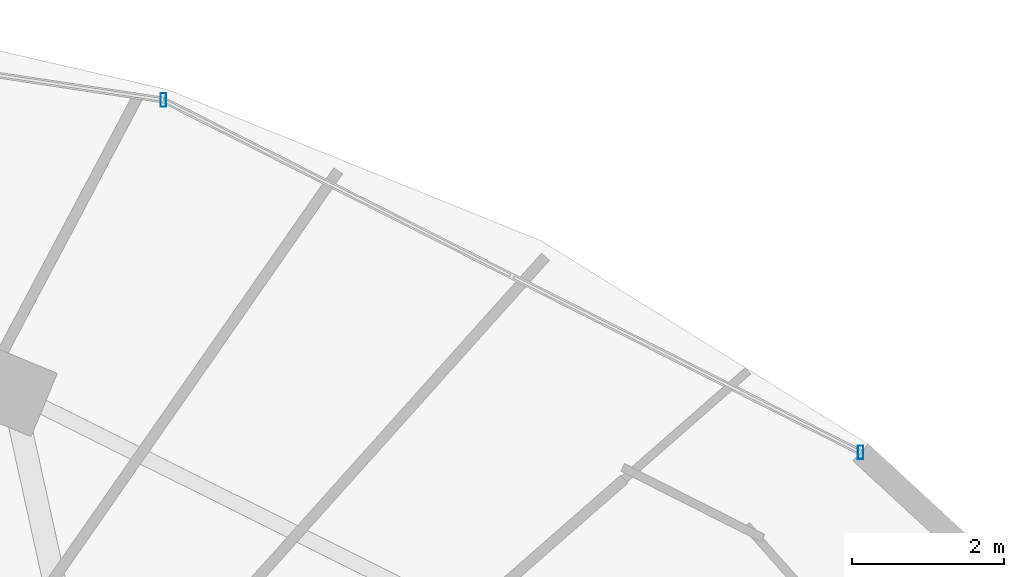
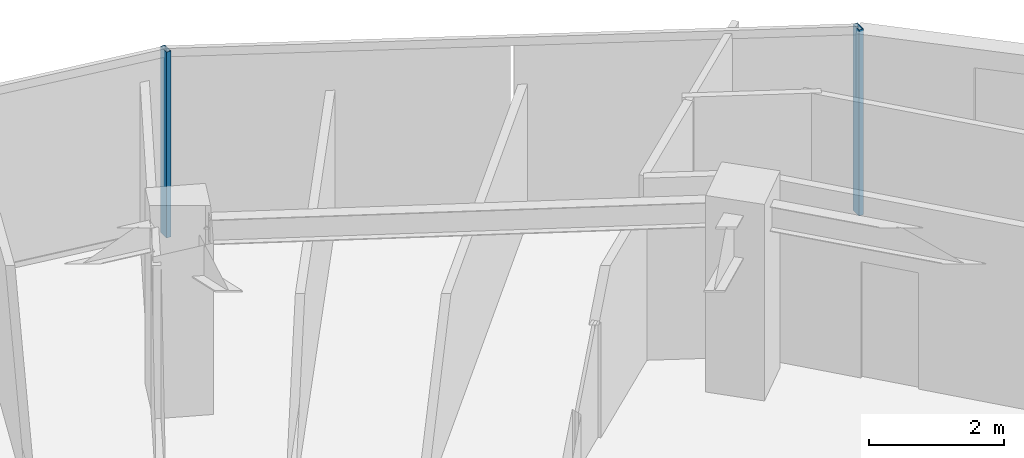
# One storey, part 22 of 34: 2 members, 1 element without a shape of its own.
"""IFC4 building model written with IfcOpenShell, lengths in metres."""

from ifc_helpers import new_model, si_unit, direction, frame, origin, origin_2d, place, context, subcontext, project, spatial, hollow_rectangle, extrude, material, material_profile, profile_set, type_object, element, aggregate, save


model = new_model("IFC4")

# Units and contexts
model_context = context("Model", 3, precision=1e-05, world=origin(), true_north=direction((0.0, 1.0)))
body_context = subcontext(model_context, "Body", "Model", "MODEL_VIEW")
ifc_project = project(units=[si_unit("LENGTHUNIT", "METRE"), si_unit("AREAUNIT", "SQUARE_METRE"), si_unit("VOLUMEUNIT", "CUBIC_METRE"), si_unit("PLANEANGLEUNIT", "RADIAN"), si_unit("MASSUNIT", "GRAM", prefix="KILO")], contexts=[model_context])

# Site, building, storey
site_placement = place(None, origin())
site = spatial("IfcSite", under=ifc_project, at=site_placement, CompositionType="ELEMENT")
building_placement = place(site_placement, origin())
building = spatial("IfcBuilding", under=site, at=building_placement, Name="Vorneva Point Tower", CompositionType="ELEMENT")
storey_placement = place(building_placement, frame((0.0, 0.0, 214.300048828125)))
storey = spatial("IfcBuildingStorey", under=building, at=storey_placement, Name="L58", CompositionType="ELEMENT", Elevation=214.300048828125)

# Curtain wall, members
ifc_material = material(Name="Pale anodised aluminium", Category="aluminium")
curtain_wall_type = type_object("IfcCurtainWallType", Name="CW-RES-SYS", PredefinedType="NOTDEFINED", material=ifc_material)
curtain_wall_placement = place(storey_placement, origin())
curtain_wall = element("IfcCurtainWall", 1, at=curtain_wall_placement, inside=storey, type_object=curtain_wall_type, Name="L58 Unitised Curtain Wall CW-L58-R02", PredefinedType="NOTDEFINED")
ifc_material_profile = material_profile(ifc_material, hollow_rectangle(XDim=0.074951171875, YDim=0.179931640625, WallThickness=0.00390625, at=origin_2d()), Name="AL-MUL 180x75x4")
ifc_profile_set = profile_set([ifc_material_profile], Name="Pale anodised aluminium")
member_type = type_object("IfcMemberType", Name="CW-MUL-180", PredefinedType="MULLION", material=ifc_profile_set)
member_1_placement = place(storey_placement, frame((57.961669921875, 41.0966796875, -0.0400390625), z_axis=(0.0, 0.0, 1.0), x_axis=(1.0, 0.0, 0.0)))
member_1 = element("IfcMember", 2, at=member_1_placement, type_object=member_type, Name="CW-L58-R02 Mullion 01", PredefinedType="MULLION", context=body_context, shape_type="SweptSolid", body=[
    extrude(hollow_rectangle(XDim=0.074951171875, YDim=0.179931640625, WallThickness=0.00390625, at=origin_2d()), origin(), (0.0, 0.0, 1.0), 3.360107421875),
])
member_2_placement = place(storey_placement, frame((48.80322265625, 45.724853515625, -0.0400390625), z_axis=(0.0, 0.0, 1.0), x_axis=(1.0, 0.0, 0.0)))
member_2 = element("IfcMember", 3, at=member_2_placement, type_object=member_type, Name="CW-L58-R02 Mullion 02", PredefinedType="MULLION", context=body_context, shape_type="SweptSolid", body=[
    extrude(hollow_rectangle(XDim=0.074951171875, YDim=0.179931640625, WallThickness=0.00390625, at=origin_2d()), origin(), (0.0, 0.0, 1.0), 3.360107421875),
])
aggregate(curtain_wall, [member_1, member_2])

save(model, "model.ifc")
